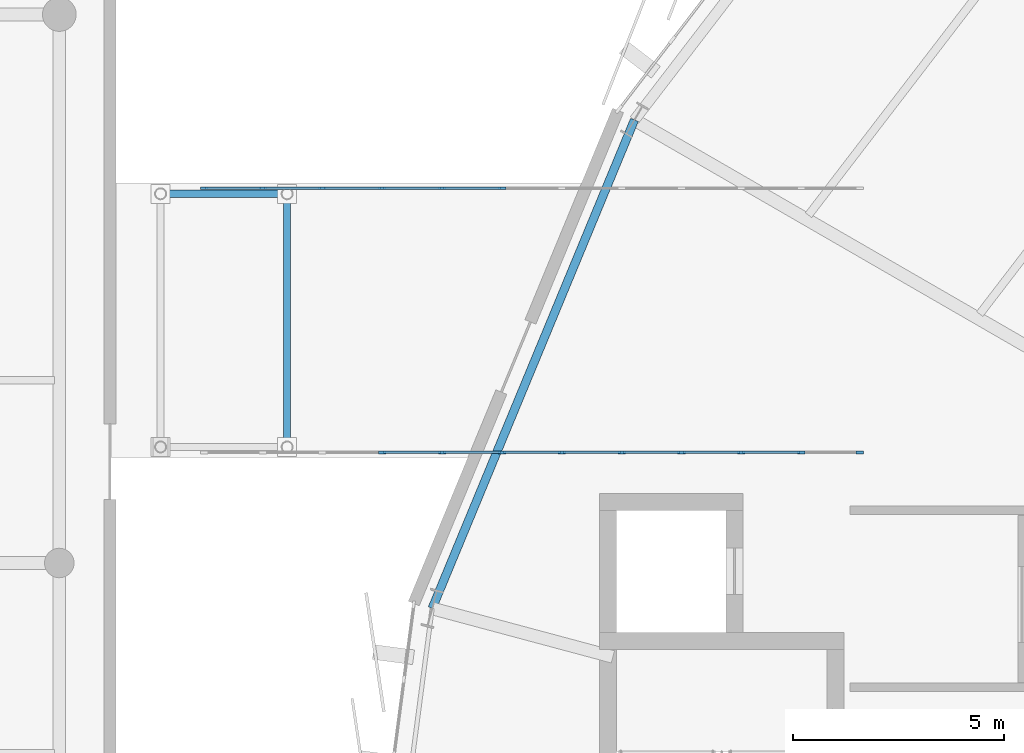
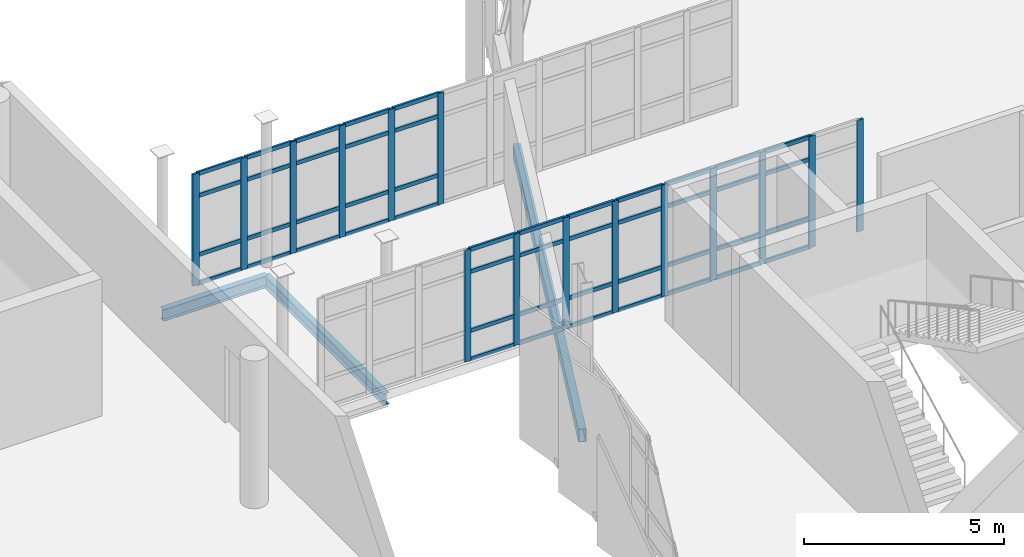
# One storey, part 50 of 125: 63 members, 3 beams, 2 elements without a shape of their own.
"""IFC4 building model written with IfcOpenShell, lengths in metres."""

from ifc_helpers import new_model, si_unit, direction, frame, origin, origin_2d, place, context, subcontext, project, spatial, rectangle, hollow_rectangle, i_section, extrude, material, layer, layer_set, material_profile, profile_set, type_object, element, aggregate, save


model = new_model("IFC4")

# Units and contexts
model_context = context("Model", 3, precision=1e-05, world=origin(), true_north=direction((0.0, 1.0)))
body_context = subcontext(model_context, "Body", "Model", "MODEL_VIEW")
ifc_project = project(units=[si_unit("LENGTHUNIT", "METRE"), si_unit("AREAUNIT", "SQUARE_METRE"), si_unit("VOLUMEUNIT", "CUBIC_METRE"), si_unit("PLANEANGLEUNIT", "RADIAN"), si_unit("MASSUNIT", "GRAM", prefix="KILO")], contexts=[model_context])

# Site, building, storey
site_placement = place(None, origin())
site = spatial("IfcSite", under=ifc_project, at=site_placement, CompositionType="ELEMENT")
building_placement = place(site_placement, origin())
building = spatial("IfcBuilding", under=site, at=building_placement, Name="Sohan Crest Arena", CompositionType="ELEMENT")
storey_placement = place(building_placement, frame((0.0, 0.0, 9.0)))
storey = spatial("IfcBuildingStorey", under=building, at=storey_placement, Name="L02", CompositionType="ELEMENT", Elevation=9.0)

# Curtain wall, members
ifc_material_1 = material(Name="Thermally broken anodised aluminium", Category="aluminium")
ifc_layer = layer(ifc_material_1, 0.18994140625, Name="Thermally broken anodised aluminium")
ifc_layer_set = layer_set([ifc_layer], Name="Thermally broken anodised aluminium")
curtain_wall_type = type_object("IfcCurtainWallType", Name="ARC-CW05", PredefinedType="NOTDEFINED", material=ifc_layer_set)
curtain_wall_1_placement = place(storey_placement, origin())
curtain_wall_1 = element("IfcCurtainWall", 1, at=curtain_wall_1_placement, inside=storey, type_object=curtain_wall_type, Name="Unitised curtain wall CW-235", PredefinedType="NOTDEFINED")
ifc_material_profile_1 = material_profile(ifc_material_1, rectangle(XDim=0.06494140625, YDim=0.179931640625, at=origin_2d()), Name="ALU-MULL 65x180")
ifc_profile_set_1 = profile_set([ifc_material_profile_1], Name="Thermally broken anodised aluminium")
member_type_1 = type_object("IfcMemberType", Name="ARC-CW-ML02", PredefinedType="MULLION", material=ifc_profile_set_1)
member_1_placement = place(storey_placement, frame((50.45458984375, 94.1201171875, 0.0), z_axis=(0.0, 0.0, 1.0), x_axis=(0.0, 1.0, 0.0)))
member_1 = element("IfcMember", 2, at=member_1_placement, type_object=member_type_1, Name="CW-235 mullion 4", PredefinedType="MULLION", context=body_context, shape_type="SweptSolid", body=[
    extrude(rectangle(XDim=0.06494140625, YDim=0.179931640625, at=origin_2d()), origin(), (0.0, 0.0, 1.0), 3.39990234375),
])
member_2_placement = place(storey_placement, frame((51.872802734375, 94.1201171875, 0.0), z_axis=(0.0, 0.0, 1.0), x_axis=(0.0, 1.0, 0.0)))
member_2 = element("IfcMember", 3, at=member_2_placement, type_object=member_type_1, Name="CW-235 mullion 5", PredefinedType="MULLION", context=body_context, shape_type="SweptSolid", body=[
    extrude(rectangle(XDim=0.06494140625, YDim=0.179931640625, at=origin_2d()), origin(), (0.0, 0.0, 1.0), 3.39990234375),
])
member_3_placement = place(storey_placement, frame((53.291015625, 94.1201171875, 0.0), z_axis=(0.0, 0.0, 1.0), x_axis=(0.0, 1.0, 0.0)))
member_3 = element("IfcMember", 4, at=member_3_placement, type_object=member_type_1, Name="CW-235 mullion 6", PredefinedType="MULLION", context=body_context, shape_type="SweptSolid", body=[
    extrude(rectangle(XDim=0.06494140625, YDim=0.179931640625, at=origin_2d()), origin(), (0.0, 0.0, 1.0), 3.39990234375),
])
member_4_placement = place(storey_placement, frame((54.708984375, 94.1201171875, 0.0), z_axis=(0.0, 0.0, 1.0), x_axis=(0.0, 1.0, 0.0)))
member_4 = element("IfcMember", 5, at=member_4_placement, type_object=member_type_1, Name="CW-235 mullion 7", PredefinedType="MULLION", context=body_context, shape_type="SweptSolid", body=[
    extrude(rectangle(XDim=0.06494140625, YDim=0.179931640625, at=origin_2d()), origin(), (0.0, 0.0, 1.0), 3.39990234375),
])
member_5_placement = place(storey_placement, frame((56.127197265625, 94.1201171875, 0.0), z_axis=(0.0, 0.0, 1.0), x_axis=(0.0, 1.0, 0.0)))
member_5 = element("IfcMember", 6, at=member_5_placement, type_object=member_type_1, Name="CW-235 mullion 8", PredefinedType="MULLION", context=body_context, shape_type="SweptSolid", body=[
    extrude(rectangle(XDim=0.06494140625, YDim=0.179931640625, at=origin_2d()), origin(), (0.0, 0.0, 1.0), 3.39990234375),
])
member_6_placement = place(storey_placement, frame((57.54541015625, 94.1201171875, 0.0), z_axis=(0.0, 0.0, 1.0), x_axis=(0.0, 1.0, 0.0)))
member_6 = element("IfcMember", 7, at=member_6_placement, type_object=member_type_1, Name="CW-235 mullion 9", PredefinedType="MULLION", context=body_context, shape_type="SweptSolid", body=[
    extrude(rectangle(XDim=0.06494140625, YDim=0.179931640625, at=origin_2d()), origin(), (0.0, 0.0, 1.0), 3.39990234375),
])
member_7_placement = place(storey_placement, frame((58.963623046875, 94.1201171875, 0.0), z_axis=(0.0, 0.0, 1.0), x_axis=(0.0, 1.0, 0.0)))
member_7 = element("IfcMember", 8, at=member_7_placement, type_object=member_type_1, Name="CW-235 mullion 10", PredefinedType="MULLION", context=body_context, shape_type="SweptSolid", body=[
    extrude(rectangle(XDim=0.06494140625, YDim=0.179931640625, at=origin_2d()), origin(), (0.0, 0.0, 1.0), 3.39990234375),
])
member_8_placement = place(storey_placement, frame((60.3818359375, 94.1201171875, 0.0), z_axis=(0.0, 0.0, 1.0), x_axis=(0.0, 1.0, 0.0)))
member_8 = element("IfcMember", 9, at=member_8_placement, type_object=member_type_1, Name="CW-235 mullion 11", PredefinedType="MULLION", context=body_context, shape_type="SweptSolid", body=[
    extrude(rectangle(XDim=0.06494140625, YDim=0.179931640625, at=origin_2d()), origin(), (0.0, 0.0, 1.0), 3.39990234375),
])
member_9_placement = place(storey_placement, frame((61.767578125, 94.1201171875, 0.0), z_axis=(0.0, 0.0, 1.0), x_axis=(0.0, 1.0, 0.0)))
member_9 = element("IfcMember", 10, at=member_9_placement, type_object=member_type_1, Name="CW-235 mullion 12", PredefinedType="MULLION", context=body_context, shape_type="SweptSolid", body=[
    extrude(rectangle(XDim=0.06494140625, YDim=0.179931640625, at=origin_2d()), origin(), (0.0, 0.0, 1.0), 3.39990234375),
])

curtain_wall_2_placement = place(storey_placement, origin())
curtain_wall_2 = element("IfcCurtainWall", 11, at=curtain_wall_2_placement, inside=storey, type_object=curtain_wall_type, Name="Unitised curtain wall CW-236", PredefinedType="NOTDEFINED")
member_10_placement = place(storey_placement, frame((46.232421875, 100.3798828125, 0.0), z_axis=(0.0, 0.0, 1.0), x_axis=(0.0, 1.0, 0.0)))
member_10 = element("IfcMember", 12, at=member_10_placement, type_object=member_type_1, Name="CW-236 mullion 1", PredefinedType="MULLION", context=body_context, shape_type="SweptSolid", body=[
    extrude(rectangle(XDim=0.06494140625, YDim=0.179931640625, at=origin_2d()), origin(), (0.0, 0.0, 1.0), 3.39990234375),
])
member_11_placement = place(storey_placement, frame((47.6181640625, 100.3798828125, 0.0), z_axis=(0.0, 0.0, 1.0), x_axis=(0.0, 1.0, 0.0)))
member_11 = element("IfcMember", 13, at=member_11_placement, type_object=member_type_1, Name="CW-236 mullion 2", PredefinedType="MULLION", context=body_context, shape_type="SweptSolid", body=[
    extrude(rectangle(XDim=0.06494140625, YDim=0.179931640625, at=origin_2d()), origin(), (0.0, 0.0, 1.0), 3.39990234375),
])
member_12_placement = place(storey_placement, frame((49.036376953125, 100.3798828125, 0.0), z_axis=(0.0, 0.0, 1.0), x_axis=(0.0, 1.0, 0.0)))
member_12 = element("IfcMember", 14, at=member_12_placement, type_object=member_type_1, Name="CW-236 mullion 3", PredefinedType="MULLION", context=body_context, shape_type="SweptSolid", body=[
    extrude(rectangle(XDim=0.06494140625, YDim=0.179931640625, at=origin_2d()), origin(), (0.0, 0.0, 1.0), 3.39990234375),
])
member_13_placement = place(storey_placement, frame((50.45458984375, 100.3798828125, 0.0), z_axis=(0.0, 0.0, 1.0), x_axis=(0.0, 1.0, 0.0)))
member_13 = element("IfcMember", 15, at=member_13_placement, type_object=member_type_1, Name="CW-236 mullion 4", PredefinedType="MULLION", context=body_context, shape_type="SweptSolid", body=[
    extrude(rectangle(XDim=0.06494140625, YDim=0.179931640625, at=origin_2d()), origin(), (0.0, 0.0, 1.0), 3.39990234375),
])
member_14_placement = place(storey_placement, frame((51.872802734375, 100.3798828125, 0.0), z_axis=(0.0, 0.0, 1.0), x_axis=(0.0, 1.0, 0.0)))
member_14 = element("IfcMember", 16, at=member_14_placement, type_object=member_type_1, Name="CW-236 mullion 5", PredefinedType="MULLION", context=body_context, shape_type="SweptSolid", body=[
    extrude(rectangle(XDim=0.06494140625, YDim=0.179931640625, at=origin_2d()), origin(), (0.0, 0.0, 1.0), 3.39990234375),
])
member_15_placement = place(storey_placement, frame((53.291015625, 100.3798828125, 0.0), z_axis=(0.0, 0.0, 1.0), x_axis=(0.0, 1.0, 0.0)))
member_15 = element("IfcMember", 17, at=member_15_placement, type_object=member_type_1, Name="CW-236 mullion 6", PredefinedType="MULLION", context=body_context, shape_type="SweptSolid", body=[
    extrude(rectangle(XDim=0.06494140625, YDim=0.179931640625, at=origin_2d()), origin(), (0.0, 0.0, 1.0), 3.39990234375),
])

# Member
ifc_material_profile_2 = material_profile(ifc_material_1, rectangle(XDim=0.06005859375, YDim=0.1201171875, at=origin_2d()), Name="ALU-TRAN 60x120")
ifc_profile_set_2 = profile_set([ifc_material_profile_2], Name="Thermally broken anodised aluminium")
member_type_2 = type_object("IfcMemberType", Name="ARC-CW-TR01", PredefinedType="USERDEFINED", material=ifc_profile_set_2)
member_16_placement = place(storey_placement, frame((50.487060546875, 94.1201171875, 0.030029296875), z_axis=(1.0, 0.0, 0.0), x_axis=(0.0, 1.0, 0.0)))
member_16 = element("IfcMember", 18, at=member_16_placement, type_object=member_type_2, Name="CW-235 transom 4.1", ObjectType="TRANSOM", PredefinedType="USERDEFINED", context=body_context, shape_type="SweptSolid", body=[
    extrude(rectangle(XDim=0.06005859375, YDim=0.1201171875, at=origin_2d()), origin(), (0.0, 0.0, 1.0), 1.353271484375),
])

member_17_placement = place(storey_placement, frame((50.487060546875, 94.1201171875, 0.89990234375), z_axis=(1.0, 0.0, 0.0), x_axis=(0.0, 1.0, 0.0)))
member_17 = element("IfcMember", 19, at=member_17_placement, type_object=member_type_2, Name="CW-235 transom 4.2", ObjectType="TRANSOM", PredefinedType="USERDEFINED", context=body_context, shape_type="SweptSolid", body=[
    extrude(rectangle(XDim=0.06005859375, YDim=0.1201171875, at=origin_2d()), origin(), (0.0, 0.0, 1.0), 1.353271484375),
])

member_18_placement = place(storey_placement, frame((50.487060546875, 94.1201171875, 2.699951171875), z_axis=(1.0, 0.0, 0.0), x_axis=(0.0, 1.0, 0.0)))
member_18 = element("IfcMember", 20, at=member_18_placement, type_object=member_type_2, Name="CW-235 transom 4.3", ObjectType="TRANSOM", PredefinedType="USERDEFINED", context=body_context, shape_type="SweptSolid", body=[
    extrude(rectangle(XDim=0.06005859375, YDim=0.1201171875, at=origin_2d()), origin(), (0.0, 0.0, 1.0), 1.353271484375),
])

member_19_placement = place(storey_placement, frame((50.487060546875, 94.1201171875, 3.3701171875), z_axis=(1.0, 0.0, 0.0), x_axis=(0.0, 1.0, 0.0)))
member_19 = element("IfcMember", 21, at=member_19_placement, type_object=member_type_2, Name="CW-235 transom 4.4", ObjectType="TRANSOM", PredefinedType="USERDEFINED", context=body_context, shape_type="SweptSolid", body=[
    extrude(rectangle(XDim=0.06005859375, YDim=0.1201171875, at=origin_2d()), origin(), (0.0, 0.0, 1.0), 1.353271484375),
])

member_20_placement = place(storey_placement, frame((51.9052734375, 94.1201171875, 0.030029296875), z_axis=(1.0, 0.0, 0.0), x_axis=(0.0, 1.0, 0.0)))
member_20 = element("IfcMember", 22, at=member_20_placement, type_object=member_type_2, Name="CW-235 transom 5.1", ObjectType="TRANSOM", PredefinedType="USERDEFINED", context=body_context, shape_type="SweptSolid", body=[
    extrude(rectangle(XDim=0.06005859375, YDim=0.1201171875, at=origin_2d()), origin(), (0.0, 0.0, 1.0), 1.35302734375),
])

member_21_placement = place(storey_placement, frame((51.9052734375, 94.1201171875, 0.89990234375), z_axis=(1.0, 0.0, 0.0), x_axis=(0.0, 1.0, 0.0)))
member_21 = element("IfcMember", 23, at=member_21_placement, type_object=member_type_2, Name="CW-235 transom 5.2", ObjectType="TRANSOM", PredefinedType="USERDEFINED", context=body_context, shape_type="SweptSolid", body=[
    extrude(rectangle(XDim=0.06005859375, YDim=0.1201171875, at=origin_2d()), origin(), (0.0, 0.0, 1.0), 1.35302734375),
])

member_22_placement = place(storey_placement, frame((51.9052734375, 94.1201171875, 2.699951171875), z_axis=(1.0, 0.0, 0.0), x_axis=(0.0, 1.0, 0.0)))
member_22 = element("IfcMember", 24, at=member_22_placement, type_object=member_type_2, Name="CW-235 transom 5.3", ObjectType="TRANSOM", PredefinedType="USERDEFINED", context=body_context, shape_type="SweptSolid", body=[
    extrude(rectangle(XDim=0.06005859375, YDim=0.1201171875, at=origin_2d()), origin(), (0.0, 0.0, 1.0), 1.35302734375),
])

member_23_placement = place(storey_placement, frame((51.9052734375, 94.1201171875, 3.3701171875), z_axis=(1.0, 0.0, 0.0), x_axis=(0.0, 1.0, 0.0)))
member_23 = element("IfcMember", 25, at=member_23_placement, type_object=member_type_2, Name="CW-235 transom 5.4", ObjectType="TRANSOM", PredefinedType="USERDEFINED", context=body_context, shape_type="SweptSolid", body=[
    extrude(rectangle(XDim=0.06005859375, YDim=0.1201171875, at=origin_2d()), origin(), (0.0, 0.0, 1.0), 1.35302734375),
])

member_24_placement = place(storey_placement, frame((53.323486328125, 94.1201171875, 0.030029296875), z_axis=(1.0, 0.0, 0.0), x_axis=(0.0, 1.0, 0.0)))
member_24 = element("IfcMember", 26, at=member_24_placement, type_object=member_type_2, Name="CW-235 transom 6.1", ObjectType="TRANSOM", PredefinedType="USERDEFINED", context=body_context, shape_type="SweptSolid", body=[
    extrude(rectangle(XDim=0.06005859375, YDim=0.1201171875, at=origin_2d()), origin(), (0.0, 0.0, 1.0), 1.35302734375),
])

member_25_placement = place(storey_placement, frame((53.323486328125, 94.1201171875, 0.89990234375), z_axis=(1.0, 0.0, 0.0), x_axis=(0.0, 1.0, 0.0)))
member_25 = element("IfcMember", 27, at=member_25_placement, type_object=member_type_2, Name="CW-235 transom 6.2", ObjectType="TRANSOM", PredefinedType="USERDEFINED", context=body_context, shape_type="SweptSolid", body=[
    extrude(rectangle(XDim=0.06005859375, YDim=0.1201171875, at=origin_2d()), origin(), (0.0, 0.0, 1.0), 1.35302734375),
])

member_26_placement = place(storey_placement, frame((53.323486328125, 94.1201171875, 2.699951171875), z_axis=(1.0, 0.0, 0.0), x_axis=(0.0, 1.0, 0.0)))
member_26 = element("IfcMember", 28, at=member_26_placement, type_object=member_type_2, Name="CW-235 transom 6.3", ObjectType="TRANSOM", PredefinedType="USERDEFINED", context=body_context, shape_type="SweptSolid", body=[
    extrude(rectangle(XDim=0.06005859375, YDim=0.1201171875, at=origin_2d()), origin(), (0.0, 0.0, 1.0), 1.35302734375),
])

member_27_placement = place(storey_placement, frame((53.323486328125, 94.1201171875, 3.3701171875), z_axis=(1.0, 0.0, 0.0), x_axis=(0.0, 1.0, 0.0)))
member_27 = element("IfcMember", 29, at=member_27_placement, type_object=member_type_2, Name="CW-235 transom 6.4", ObjectType="TRANSOM", PredefinedType="USERDEFINED", context=body_context, shape_type="SweptSolid", body=[
    extrude(rectangle(XDim=0.06005859375, YDim=0.1201171875, at=origin_2d()), origin(), (0.0, 0.0, 1.0), 1.35302734375),
])

member_28_placement = place(storey_placement, frame((54.74169921875, 94.1201171875, 0.030029296875), z_axis=(1.0, 0.0, 0.0), x_axis=(0.0, 1.0, 0.0)))
member_28 = element("IfcMember", 30, at=member_28_placement, type_object=member_type_2, Name="CW-235 transom 7.1", ObjectType="TRANSOM", PredefinedType="USERDEFINED", context=body_context, shape_type="SweptSolid", body=[
    extrude(rectangle(XDim=0.06005859375, YDim=0.1201171875, at=origin_2d()), origin(), (0.0, 0.0, 1.0), 1.35302734375),
])

member_29_placement = place(storey_placement, frame((54.74169921875, 94.1201171875, 0.89990234375), z_axis=(1.0, 0.0, 0.0), x_axis=(0.0, 1.0, 0.0)))
member_29 = element("IfcMember", 31, at=member_29_placement, type_object=member_type_2, Name="CW-235 transom 7.2", ObjectType="TRANSOM", PredefinedType="USERDEFINED", context=body_context, shape_type="SweptSolid", body=[
    extrude(rectangle(XDim=0.06005859375, YDim=0.1201171875, at=origin_2d()), origin(), (0.0, 0.0, 1.0), 1.35302734375),
])

member_30_placement = place(storey_placement, frame((54.74169921875, 94.1201171875, 2.699951171875), z_axis=(1.0, 0.0, 0.0), x_axis=(0.0, 1.0, 0.0)))
member_30 = element("IfcMember", 32, at=member_30_placement, type_object=member_type_2, Name="CW-235 transom 7.3", ObjectType="TRANSOM", PredefinedType="USERDEFINED", context=body_context, shape_type="SweptSolid", body=[
    extrude(rectangle(XDim=0.06005859375, YDim=0.1201171875, at=origin_2d()), origin(), (0.0, 0.0, 1.0), 1.35302734375),
])

member_31_placement = place(storey_placement, frame((54.74169921875, 94.1201171875, 3.3701171875), z_axis=(1.0, 0.0, 0.0), x_axis=(0.0, 1.0, 0.0)))
member_31 = element("IfcMember", 33, at=member_31_placement, type_object=member_type_2, Name="CW-235 transom 7.4", ObjectType="TRANSOM", PredefinedType="USERDEFINED", context=body_context, shape_type="SweptSolid", body=[
    extrude(rectangle(XDim=0.06005859375, YDim=0.1201171875, at=origin_2d()), origin(), (0.0, 0.0, 1.0), 1.35302734375),
])

member_32_placement = place(storey_placement, frame((56.15966796875, 94.1201171875, 0.030029296875), z_axis=(1.0, 0.0, 0.0), x_axis=(0.0, 1.0, 0.0)))
member_32 = element("IfcMember", 34, at=member_32_placement, type_object=member_type_2, Name="CW-235 transom 8.1", ObjectType="TRANSOM", PredefinedType="USERDEFINED", context=body_context, shape_type="SweptSolid", body=[
    extrude(rectangle(XDim=0.06005859375, YDim=0.1201171875, at=origin_2d()), origin(), (0.0, 0.0, 1.0), 1.353271484375),
])

member_33_placement = place(storey_placement, frame((56.15966796875, 94.1201171875, 0.89990234375), z_axis=(1.0, 0.0, 0.0), x_axis=(0.0, 1.0, 0.0)))
member_33 = element("IfcMember", 35, at=member_33_placement, type_object=member_type_2, Name="CW-235 transom 8.2", ObjectType="TRANSOM", PredefinedType="USERDEFINED", context=body_context, shape_type="SweptSolid", body=[
    extrude(rectangle(XDim=0.06005859375, YDim=0.1201171875, at=origin_2d()), origin(), (0.0, 0.0, 1.0), 1.353271484375),
])

member_34_placement = place(storey_placement, frame((56.15966796875, 94.1201171875, 2.699951171875), z_axis=(1.0, 0.0, 0.0), x_axis=(0.0, 1.0, 0.0)))
member_34 = element("IfcMember", 36, at=member_34_placement, type_object=member_type_2, Name="CW-235 transom 8.3", ObjectType="TRANSOM", PredefinedType="USERDEFINED", context=body_context, shape_type="SweptSolid", body=[
    extrude(rectangle(XDim=0.06005859375, YDim=0.1201171875, at=origin_2d()), origin(), (0.0, 0.0, 1.0), 1.353271484375),
])

member_35_placement = place(storey_placement, frame((56.15966796875, 94.1201171875, 3.3701171875), z_axis=(1.0, 0.0, 0.0), x_axis=(0.0, 1.0, 0.0)))
member_35 = element("IfcMember", 37, at=member_35_placement, type_object=member_type_2, Name="CW-235 transom 8.4", ObjectType="TRANSOM", PredefinedType="USERDEFINED", context=body_context, shape_type="SweptSolid", body=[
    extrude(rectangle(XDim=0.06005859375, YDim=0.1201171875, at=origin_2d()), origin(), (0.0, 0.0, 1.0), 1.353271484375),
])

member_36_placement = place(storey_placement, frame((57.577880859375, 94.1201171875, 0.030029296875), z_axis=(1.0, 0.0, 0.0), x_axis=(0.0, 1.0, 0.0)))
member_36 = element("IfcMember", 38, at=member_36_placement, type_object=member_type_2, Name="CW-235 transom 9.1", ObjectType="TRANSOM", PredefinedType="USERDEFINED", context=body_context, shape_type="SweptSolid", body=[
    extrude(rectangle(XDim=0.06005859375, YDim=0.1201171875, at=origin_2d()), origin(), (0.0, 0.0, 1.0), 1.353271484375),
])

member_37_placement = place(storey_placement, frame((57.577880859375, 94.1201171875, 0.89990234375), z_axis=(1.0, 0.0, 0.0), x_axis=(0.0, 1.0, 0.0)))
member_37 = element("IfcMember", 39, at=member_37_placement, type_object=member_type_2, Name="CW-235 transom 9.2", ObjectType="TRANSOM", PredefinedType="USERDEFINED", context=body_context, shape_type="SweptSolid", body=[
    extrude(rectangle(XDim=0.06005859375, YDim=0.1201171875, at=origin_2d()), origin(), (0.0, 0.0, 1.0), 1.353271484375),
])

member_38_placement = place(storey_placement, frame((57.577880859375, 94.1201171875, 2.699951171875), z_axis=(1.0, 0.0, 0.0), x_axis=(0.0, 1.0, 0.0)))
member_38 = element("IfcMember", 40, at=member_38_placement, type_object=member_type_2, Name="CW-235 transom 9.3", ObjectType="TRANSOM", PredefinedType="USERDEFINED", context=body_context, shape_type="SweptSolid", body=[
    extrude(rectangle(XDim=0.06005859375, YDim=0.1201171875, at=origin_2d()), origin(), (0.0, 0.0, 1.0), 1.353271484375),
])

member_39_placement = place(storey_placement, frame((57.577880859375, 94.1201171875, 3.3701171875), z_axis=(1.0, 0.0, 0.0), x_axis=(0.0, 1.0, 0.0)))
member_39 = element("IfcMember", 41, at=member_39_placement, type_object=member_type_2, Name="CW-235 transom 9.4", ObjectType="TRANSOM", PredefinedType="USERDEFINED", context=body_context, shape_type="SweptSolid", body=[
    extrude(rectangle(XDim=0.06005859375, YDim=0.1201171875, at=origin_2d()), origin(), (0.0, 0.0, 1.0), 1.353271484375),
])

member_40_placement = place(storey_placement, frame((58.99609375, 94.1201171875, 0.030029296875), z_axis=(1.0, 0.0, 0.0), x_axis=(0.0, 1.0, 0.0)))
member_40 = element("IfcMember", 42, at=member_40_placement, type_object=member_type_2, Name="CW-235 transom 10.1", ObjectType="TRANSOM", PredefinedType="USERDEFINED", context=body_context, shape_type="SweptSolid", body=[
    extrude(rectangle(XDim=0.06005859375, YDim=0.1201171875, at=origin_2d()), origin(), (0.0, 0.0, 1.0), 1.353271484375),
])

member_41_placement = place(storey_placement, frame((58.99609375, 94.1201171875, 0.89990234375), z_axis=(1.0, 0.0, 0.0), x_axis=(0.0, 1.0, 0.0)))
member_41 = element("IfcMember", 43, at=member_41_placement, type_object=member_type_2, Name="CW-235 transom 10.2", ObjectType="TRANSOM", PredefinedType="USERDEFINED", context=body_context, shape_type="SweptSolid", body=[
    extrude(rectangle(XDim=0.06005859375, YDim=0.1201171875, at=origin_2d()), origin(), (0.0, 0.0, 1.0), 1.353271484375),
])

member_42_placement = place(storey_placement, frame((58.99609375, 94.1201171875, 2.699951171875), z_axis=(1.0, 0.0, 0.0), x_axis=(0.0, 1.0, 0.0)))
member_42 = element("IfcMember", 44, at=member_42_placement, type_object=member_type_2, Name="CW-235 transom 10.3", ObjectType="TRANSOM", PredefinedType="USERDEFINED", context=body_context, shape_type="SweptSolid", body=[
    extrude(rectangle(XDim=0.06005859375, YDim=0.1201171875, at=origin_2d()), origin(), (0.0, 0.0, 1.0), 1.353271484375),
])

member_43_placement = place(storey_placement, frame((58.99609375, 94.1201171875, 3.3701171875), z_axis=(1.0, 0.0, 0.0), x_axis=(0.0, 1.0, 0.0)))
member_43 = element("IfcMember", 45, at=member_43_placement, type_object=member_type_2, Name="CW-235 transom 10.4", ObjectType="TRANSOM", PredefinedType="USERDEFINED", context=body_context, shape_type="SweptSolid", body=[
    extrude(rectangle(XDim=0.06005859375, YDim=0.1201171875, at=origin_2d()), origin(), (0.0, 0.0, 1.0), 1.353271484375),
])

aggregate(curtain_wall_1, [member_1, member_2, member_3, member_4, member_5, member_6, member_7, member_8, member_9, member_16, member_17, member_18, member_19, member_20, member_21, member_22, member_23, member_24, member_25, member_26, member_27, member_28, member_29, member_30, member_31, member_32, member_33, member_34, member_35, member_36, member_37, member_38, member_39, member_40, member_41, member_42, member_43])

member_44_placement = place(storey_placement, frame((46.264892578125, 100.3798828125, 0.030029296875), z_axis=(1.0, 0.0, 0.0), x_axis=(0.0, 1.0, 0.0)))
member_44 = element("IfcMember", 46, at=member_44_placement, type_object=member_type_2, Name="CW-236 transom 1.1", ObjectType="TRANSOM", PredefinedType="USERDEFINED", context=body_context, shape_type="SweptSolid", body=[
    extrude(rectangle(XDim=0.06005859375, YDim=0.1201171875, at=origin_2d()), origin(), (0.0, 0.0, 1.0), 1.32080078125),
])

member_45_placement = place(storey_placement, frame((46.264892578125, 100.3798828125, 0.89990234375), z_axis=(1.0, 0.0, 0.0), x_axis=(0.0, 1.0, 0.0)))
member_45 = element("IfcMember", 47, at=member_45_placement, type_object=member_type_2, Name="CW-236 transom 1.2", ObjectType="TRANSOM", PredefinedType="USERDEFINED", context=body_context, shape_type="SweptSolid", body=[
    extrude(rectangle(XDim=0.06005859375, YDim=0.1201171875, at=origin_2d()), origin(), (0.0, 0.0, 1.0), 1.32080078125),
])

member_46_placement = place(storey_placement, frame((46.264892578125, 100.3798828125, 2.699951171875), z_axis=(1.0, 0.0, 0.0), x_axis=(0.0, 1.0, 0.0)))
member_46 = element("IfcMember", 48, at=member_46_placement, type_object=member_type_2, Name="CW-236 transom 1.3", ObjectType="TRANSOM", PredefinedType="USERDEFINED", context=body_context, shape_type="SweptSolid", body=[
    extrude(rectangle(XDim=0.06005859375, YDim=0.1201171875, at=origin_2d()), origin(), (0.0, 0.0, 1.0), 1.32080078125),
])

member_47_placement = place(storey_placement, frame((46.264892578125, 100.3798828125, 3.3701171875), z_axis=(1.0, 0.0, 0.0), x_axis=(0.0, 1.0, 0.0)))
member_47 = element("IfcMember", 49, at=member_47_placement, type_object=member_type_2, Name="CW-236 transom 1.4", ObjectType="TRANSOM", PredefinedType="USERDEFINED", context=body_context, shape_type="SweptSolid", body=[
    extrude(rectangle(XDim=0.06005859375, YDim=0.1201171875, at=origin_2d()), origin(), (0.0, 0.0, 1.0), 1.32080078125),
])

member_48_placement = place(storey_placement, frame((47.650634765625, 100.3798828125, 0.030029296875), z_axis=(1.0, 0.0, 0.0), x_axis=(0.0, 1.0, 0.0)))
member_48 = element("IfcMember", 50, at=member_48_placement, type_object=member_type_2, Name="CW-236 transom 2.1", ObjectType="TRANSOM", PredefinedType="USERDEFINED", context=body_context, shape_type="SweptSolid", body=[
    extrude(rectangle(XDim=0.06005859375, YDim=0.1201171875, at=origin_2d()), origin(), (0.0, 0.0, 1.0), 1.353271484375),
])

member_49_placement = place(storey_placement, frame((47.650634765625, 100.3798828125, 0.89990234375), z_axis=(1.0, 0.0, 0.0), x_axis=(0.0, 1.0, 0.0)))
member_49 = element("IfcMember", 51, at=member_49_placement, type_object=member_type_2, Name="CW-236 transom 2.2", ObjectType="TRANSOM", PredefinedType="USERDEFINED", context=body_context, shape_type="SweptSolid", body=[
    extrude(rectangle(XDim=0.06005859375, YDim=0.1201171875, at=origin_2d()), origin(), (0.0, 0.0, 1.0), 1.353271484375),
])

member_50_placement = place(storey_placement, frame((47.650634765625, 100.3798828125, 2.699951171875), z_axis=(1.0, 0.0, 0.0), x_axis=(0.0, 1.0, 0.0)))
member_50 = element("IfcMember", 52, at=member_50_placement, type_object=member_type_2, Name="CW-236 transom 2.3", ObjectType="TRANSOM", PredefinedType="USERDEFINED", context=body_context, shape_type="SweptSolid", body=[
    extrude(rectangle(XDim=0.06005859375, YDim=0.1201171875, at=origin_2d()), origin(), (0.0, 0.0, 1.0), 1.353271484375),
])

member_51_placement = place(storey_placement, frame((47.650634765625, 100.3798828125, 3.3701171875), z_axis=(1.0, 0.0, 0.0), x_axis=(0.0, 1.0, 0.0)))
member_51 = element("IfcMember", 53, at=member_51_placement, type_object=member_type_2, Name="CW-236 transom 2.4", ObjectType="TRANSOM", PredefinedType="USERDEFINED", context=body_context, shape_type="SweptSolid", body=[
    extrude(rectangle(XDim=0.06005859375, YDim=0.1201171875, at=origin_2d()), origin(), (0.0, 0.0, 1.0), 1.353271484375),
])

member_52_placement = place(storey_placement, frame((49.06884765625, 100.3798828125, 0.030029296875), z_axis=(1.0, 0.0, 0.0), x_axis=(0.0, 1.0, 0.0)))
member_52 = element("IfcMember", 54, at=member_52_placement, type_object=member_type_2, Name="CW-236 transom 3.1", ObjectType="TRANSOM", PredefinedType="USERDEFINED", context=body_context, shape_type="SweptSolid", body=[
    extrude(rectangle(XDim=0.06005859375, YDim=0.1201171875, at=origin_2d()), origin(), (0.0, 0.0, 1.0), 1.353271484375),
])

member_53_placement = place(storey_placement, frame((49.06884765625, 100.3798828125, 0.89990234375), z_axis=(1.0, 0.0, 0.0), x_axis=(0.0, 1.0, 0.0)))
member_53 = element("IfcMember", 55, at=member_53_placement, type_object=member_type_2, Name="CW-236 transom 3.2", ObjectType="TRANSOM", PredefinedType="USERDEFINED", context=body_context, shape_type="SweptSolid", body=[
    extrude(rectangle(XDim=0.06005859375, YDim=0.1201171875, at=origin_2d()), origin(), (0.0, 0.0, 1.0), 1.353271484375),
])

member_54_placement = place(storey_placement, frame((49.06884765625, 100.3798828125, 2.699951171875), z_axis=(1.0, 0.0, 0.0), x_axis=(0.0, 1.0, 0.0)))
member_54 = element("IfcMember", 56, at=member_54_placement, type_object=member_type_2, Name="CW-236 transom 3.3", ObjectType="TRANSOM", PredefinedType="USERDEFINED", context=body_context, shape_type="SweptSolid", body=[
    extrude(rectangle(XDim=0.06005859375, YDim=0.1201171875, at=origin_2d()), origin(), (0.0, 0.0, 1.0), 1.353271484375),
])

member_55_placement = place(storey_placement, frame((49.06884765625, 100.3798828125, 3.3701171875), z_axis=(1.0, 0.0, 0.0), x_axis=(0.0, 1.0, 0.0)))
member_55 = element("IfcMember", 57, at=member_55_placement, type_object=member_type_2, Name="CW-236 transom 3.4", ObjectType="TRANSOM", PredefinedType="USERDEFINED", context=body_context, shape_type="SweptSolid", body=[
    extrude(rectangle(XDim=0.06005859375, YDim=0.1201171875, at=origin_2d()), origin(), (0.0, 0.0, 1.0), 1.353271484375),
])

member_56_placement = place(storey_placement, frame((50.487060546875, 100.3798828125, 0.030029296875), z_axis=(1.0, 0.0, 0.0), x_axis=(0.0, 1.0, 0.0)))
member_56 = element("IfcMember", 58, at=member_56_placement, type_object=member_type_2, Name="CW-236 transom 4.1", ObjectType="TRANSOM", PredefinedType="USERDEFINED", context=body_context, shape_type="SweptSolid", body=[
    extrude(rectangle(XDim=0.06005859375, YDim=0.1201171875, at=origin_2d()), origin(), (0.0, 0.0, 1.0), 1.353271484375),
])

member_57_placement = place(storey_placement, frame((50.487060546875, 100.3798828125, 0.89990234375), z_axis=(1.0, 0.0, 0.0), x_axis=(0.0, 1.0, 0.0)))
member_57 = element("IfcMember", 59, at=member_57_placement, type_object=member_type_2, Name="CW-236 transom 4.2", ObjectType="TRANSOM", PredefinedType="USERDEFINED", context=body_context, shape_type="SweptSolid", body=[
    extrude(rectangle(XDim=0.06005859375, YDim=0.1201171875, at=origin_2d()), origin(), (0.0, 0.0, 1.0), 1.353271484375),
])

member_58_placement = place(storey_placement, frame((50.487060546875, 100.3798828125, 2.699951171875), z_axis=(1.0, 0.0, 0.0), x_axis=(0.0, 1.0, 0.0)))
member_58 = element("IfcMember", 60, at=member_58_placement, type_object=member_type_2, Name="CW-236 transom 4.3", ObjectType="TRANSOM", PredefinedType="USERDEFINED", context=body_context, shape_type="SweptSolid", body=[
    extrude(rectangle(XDim=0.06005859375, YDim=0.1201171875, at=origin_2d()), origin(), (0.0, 0.0, 1.0), 1.353271484375),
])

member_59_placement = place(storey_placement, frame((50.487060546875, 100.3798828125, 3.3701171875), z_axis=(1.0, 0.0, 0.0), x_axis=(0.0, 1.0, 0.0)))
member_59 = element("IfcMember", 61, at=member_59_placement, type_object=member_type_2, Name="CW-236 transom 4.4", ObjectType="TRANSOM", PredefinedType="USERDEFINED", context=body_context, shape_type="SweptSolid", body=[
    extrude(rectangle(XDim=0.06005859375, YDim=0.1201171875, at=origin_2d()), origin(), (0.0, 0.0, 1.0), 1.353271484375),
])

member_60_placement = place(storey_placement, frame((51.9052734375, 100.3798828125, 0.030029296875), z_axis=(1.0, 0.0, 0.0), x_axis=(0.0, 1.0, 0.0)))
member_60 = element("IfcMember", 62, at=member_60_placement, type_object=member_type_2, Name="CW-236 transom 5.1", ObjectType="TRANSOM", PredefinedType="USERDEFINED", context=body_context, shape_type="SweptSolid", body=[
    extrude(rectangle(XDim=0.06005859375, YDim=0.1201171875, at=origin_2d()), origin(), (0.0, 0.0, 1.0), 1.35302734375),
])

member_61_placement = place(storey_placement, frame((51.9052734375, 100.3798828125, 0.89990234375), z_axis=(1.0, 0.0, 0.0), x_axis=(0.0, 1.0, 0.0)))
member_61 = element("IfcMember", 63, at=member_61_placement, type_object=member_type_2, Name="CW-236 transom 5.2", ObjectType="TRANSOM", PredefinedType="USERDEFINED", context=body_context, shape_type="SweptSolid", body=[
    extrude(rectangle(XDim=0.06005859375, YDim=0.1201171875, at=origin_2d()), origin(), (0.0, 0.0, 1.0), 1.35302734375),
])

member_62_placement = place(storey_placement, frame((51.9052734375, 100.3798828125, 2.699951171875), z_axis=(1.0, 0.0, 0.0), x_axis=(0.0, 1.0, 0.0)))
member_62 = element("IfcMember", 64, at=member_62_placement, type_object=member_type_2, Name="CW-236 transom 5.3", ObjectType="TRANSOM", PredefinedType="USERDEFINED", context=body_context, shape_type="SweptSolid", body=[
    extrude(rectangle(XDim=0.06005859375, YDim=0.1201171875, at=origin_2d()), origin(), (0.0, 0.0, 1.0), 1.35302734375),
])

member_63_placement = place(storey_placement, frame((51.9052734375, 100.3798828125, 3.3701171875), z_axis=(1.0, 0.0, 0.0), x_axis=(0.0, 1.0, 0.0)))
member_63 = element("IfcMember", 65, at=member_63_placement, type_object=member_type_2, Name="CW-236 transom 5.4", ObjectType="TRANSOM", PredefinedType="USERDEFINED", context=body_context, shape_type="SweptSolid", body=[
    extrude(rectangle(XDim=0.06005859375, YDim=0.1201171875, at=origin_2d()), origin(), (0.0, 0.0, 1.0), 1.35302734375),
])

aggregate(curtain_wall_2, [member_10, member_11, member_12, member_13, member_14, member_15, member_44, member_45, member_46, member_47, member_48, member_49, member_50, member_51, member_52, member_53, member_54, member_55, member_56, member_57, member_58, member_59, member_60, member_61, member_62, member_63])

# Beams
ifc_material_2 = material(Name="Steel S355", Category="steel")
ifc_material_profile_3 = material_profile(ifc_material_2, i_section(OverallWidth=0.169921875, OverallDepth=0.360107421875, WebThickness=0.008056640625, FlangeThickness=0.0126953125, at=origin_2d()), Name="IPE 360")
ifc_profile_set_3 = profile_set([ifc_material_profile_3], Name="Steel S355")
beam_type_1 = type_object("IfcBeamType", Name="STR-BM-B02", PredefinedType="JOIST", material=ifc_profile_set_3)
beam_1_placement = place(storey_placement, frame((45.199951171875, 100.25, -0.455078125), z_axis=(1.0, 0.0, 0.0), x_axis=(0.0, 1.0, 0.0)))
element("IfcBeam", 66, at=beam_1_placement, inside=storey, type_object=beam_type_1, Name="Structural beam BG-L02-2949", PredefinedType="JOIST", context=body_context, shape_type="SweptSolid", body=[
    extrude(i_section(OverallWidth=0.169921875, OverallDepth=0.360107421875, WebThickness=0.008056640625, FlangeThickness=0.0126953125, at=origin_2d()), origin(), (0.0, 0.0, 1.0), 3.0),
])
beam_2_placement = place(storey_placement, frame((48.199951171875, 94.25, -0.455078125), z_axis=(0.0, 1.0, 0.0), x_axis=(-1.0, 0.0, 0.0)))
element("IfcBeam", 67, at=beam_2_placement, inside=storey, type_object=beam_type_1, Name="Structural beam BG-L02-2951", PredefinedType="JOIST", context=body_context, shape_type="SweptSolid", body=[
    extrude(i_section(OverallWidth=0.169921875, OverallDepth=0.360107421875, WebThickness=0.008056640625, FlangeThickness=0.0126953125, at=origin_2d()), origin(), (0.0, 0.0, 1.0), 6.0),
])
ifc_material_profile_4 = material_profile(ifc_material_2, hollow_rectangle(XDim=0.199951171875, YDim=0.39990234375, WallThickness=0.012451171875, at=origin_2d()), Name="RHS 400x200x12.5")
ifc_profile_set_4 = profile_set([ifc_material_profile_4], Name="Steel S355")
beam_type_2 = type_object("IfcBeamType", Name="STR-BM-SP05", PredefinedType="SPANDREL", material=ifc_profile_set_4)
beam_3_placement = place(storey_placement, frame((56.430908203125, 102.0, -0.449951171875), z_axis=(-0.382656941645, -0.923890504882, 0.0), x_axis=(0.923890504882, -0.382656941645, 0.0)))
element("IfcBeam", 68, at=beam_3_placement, inside=storey, type_object=beam_type_2, Name="Structural beam SP-L02-1264", PredefinedType="SPANDREL", context=body_context, shape_type="SweptSolid", body=[
    extrude(hollow_rectangle(XDim=0.199951171875, YDim=0.39990234375, WallThickness=0.012451171875, at=origin_2d()), origin(), (0.0, 0.0, 1.0), 12.530517578125),
])

save(model, "model.ifc")
